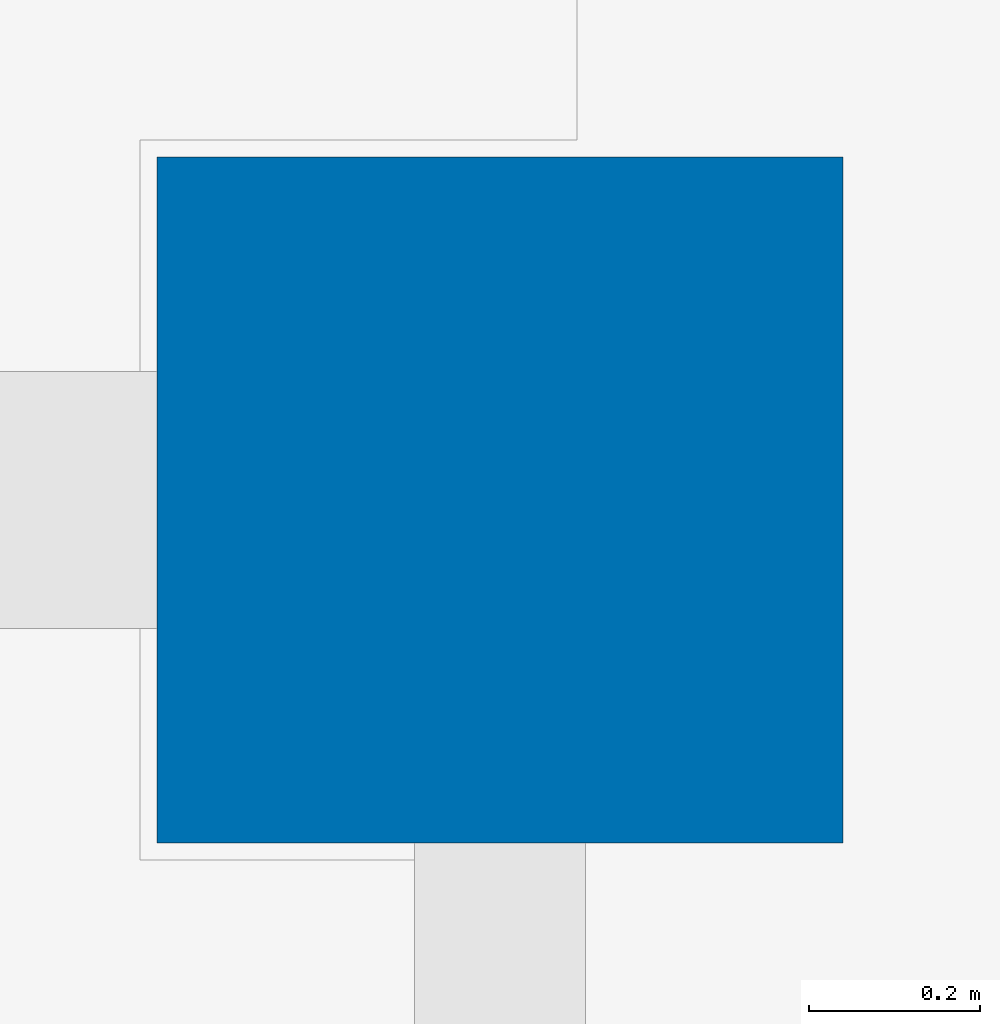
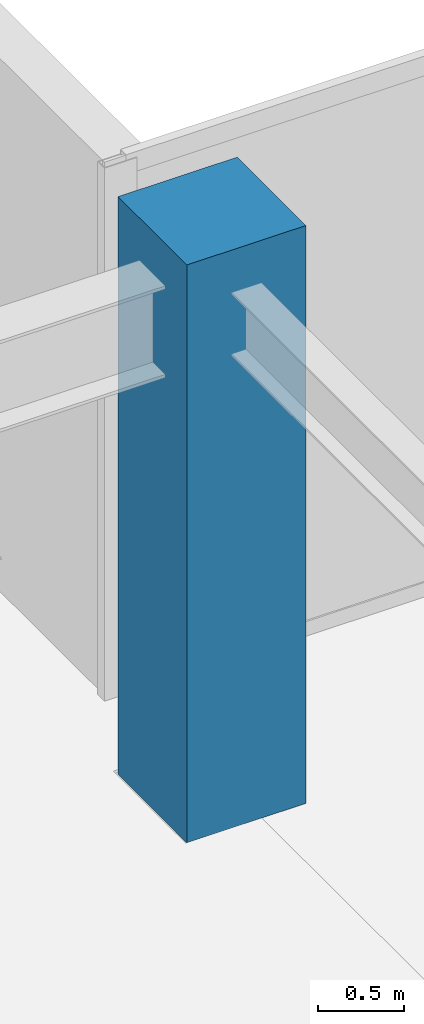
# One storey, part 4 of 35: 1 column.
"""IFC4 building model written with IfcOpenShell, lengths in metres."""

from ifc_helpers import new_model, si_unit, direction, frame, origin, origin_2d, place, context, subcontext, project, spatial, rectangle, extrude, source, transform, mapped, material, material_profile, profile_set, type_object, type_shapes, element, save


model = new_model("IFC4")

# Units and contexts
model_context = context("Model", 3, precision=1e-05, world=origin(), true_north=direction((0.0, 1.0)))
body_context = subcontext(model_context, "Body", "Model", "MODEL_VIEW")
ifc_project = project(units=[si_unit("LENGTHUNIT", "METRE"), si_unit("AREAUNIT", "SQUARE_METRE"), si_unit("VOLUMEUNIT", "CUBIC_METRE"), si_unit("PLANEANGLEUNIT", "RADIAN"), si_unit("MASSUNIT", "GRAM", prefix="KILO")], contexts=[model_context])

# Site, building, storey
site_placement = place(None, origin())
site = spatial("IfcSite", under=ifc_project, at=site_placement, CompositionType="ELEMENT")
building_placement = place(site_placement, origin())
building = spatial("IfcBuilding", under=site, at=building_placement, Name="Haelvirn Gate Laboratories", CompositionType="ELEMENT")
storey_placement = place(building_placement, frame((0.0, 0.0, 226.0)))
storey = spatial("IfcBuildingStorey", under=building, at=storey_placement, Name="L54", CompositionType="ELEMENT", Elevation=226.0)

# Column
ifc_material = material(Name="Concrete C50/60", Category="concrete")
ifc_material_profile = material_profile(ifc_material, rectangle(XDim=0.800048828125, YDim=0.800048828125, at=origin_2d()), Name="RC-800x800")
ifc_profile_set = profile_set([ifc_material_profile], Name="Concrete C50/60")
column_type = type_object("IfcColumnType", Name="COL-RC-800", PredefinedType="COLUMN", material=ifc_profile_set)
shared_shape = source(origin(), body_context, "Body", "SweptSolid", [
    extrude(rectangle(XDim=0.800048828125, YDim=0.800048828125, at=origin_2d()), origin(), (0.0, 0.0, 1.0), 4.10009765625),
])
type_shapes(column_type, [shared_shape])
column_placement = place(storey_placement, frame((67.39990234375, 41.60009765625, 0.0), z_axis=(0.0, 0.0, 1.0), x_axis=(1.0, 0.0, 0.0)))
element("IfcColumn", 1, at=column_placement, inside=storey, type_object=column_type, Name="L54 Column 10G", PredefinedType="COLUMN", context=body_context, shape_type="MappedRepresentation", body=[
    mapped(shared_shape, transform((0.0, 0.0, 0.0), scale=1.0)),
])

save(model, "model.ifc")
